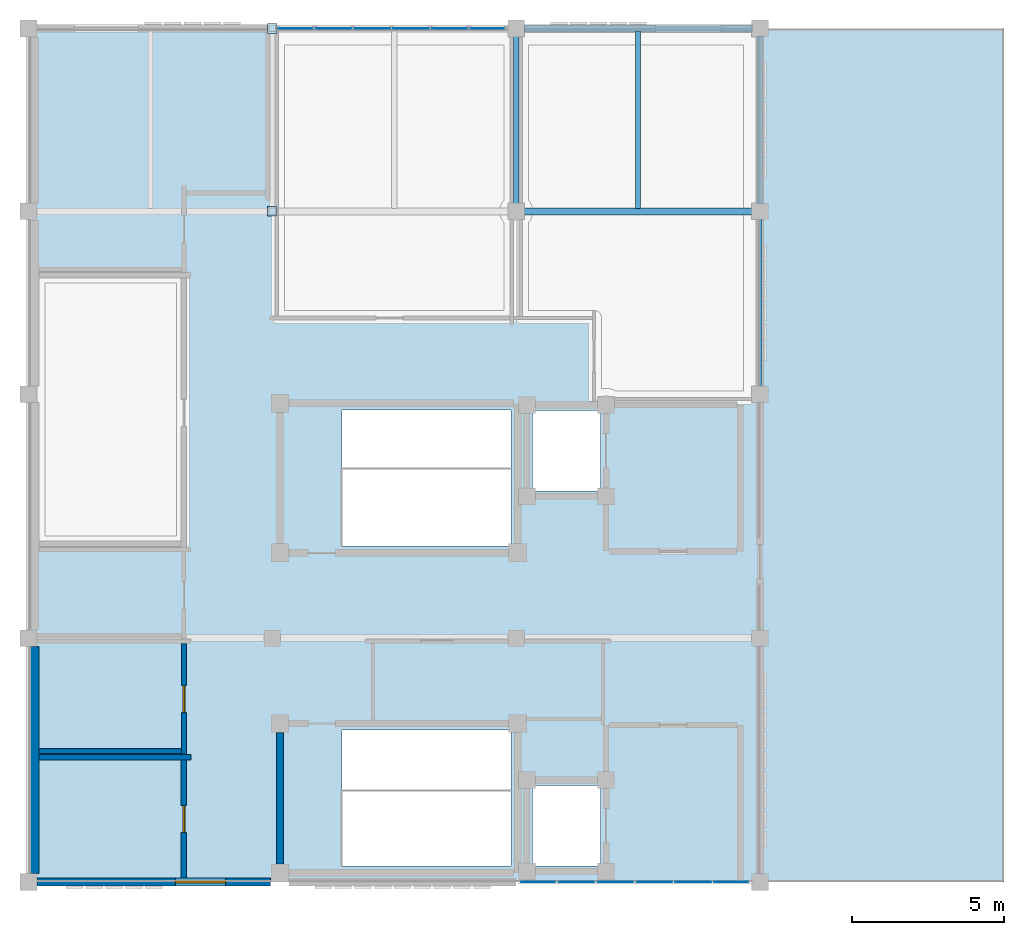
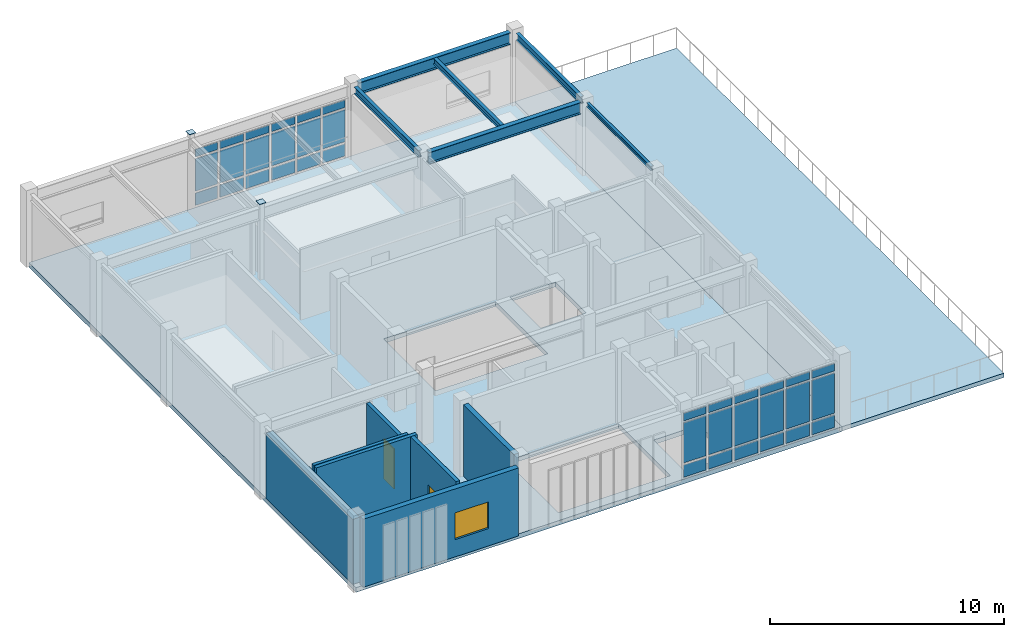
# One storey, part 7 of 11: 38 plates, 7 walls, 6 beams, 2 doors, 2 slabs, 1 window, 3 openings, 2 elements without a shape of their own.
"""IFC4 building model written with IfcOpenShell, lengths in metres."""

import ifcopenshell
import ifcopenshell.guid

model = None  # the IFC model being written
_history = None  # IfcOwnerHistory: only IFC2X3 demands one
_inside = {}  # id of a spatial element -> (the spatial element, [elements in it])
_under = {}  # id of a project, library or spatial element -> (it, [spatial elements below it])
_declared = {}  # id of a project -> (the project, [libraries it declares])
_typed = {}  # id of a type object -> (the type object, [elements of that type])
_made_of = {}  # id of a material, layer set ... -> (it, [elements and type objects made of it])


def new_model(schema):
    """Start an empty IFC model of exactly this schema.

    Asked for "IFC4X3", IfcOpenShell would pick the latest addendum, in which some entities
    have other attributes; the version numbers below select the first issue.
    IFC2X3 requires an IfcOwnerHistory on every rooted entity: one is made here for all.
    """
    global model, _history
    if schema == "IFC4X3":
        model = ifcopenshell.file(schema_version=(4, 3, 0, 0))
    else:
        model = ifcopenshell.file(schema=schema)
    _inside.clear()
    _under.clear()
    _declared.clear()
    _typed.clear()
    _made_of.clear()
    _history = None
    if model.schema == "IFC2X3":
        org = make("IfcOrganization", Name="unknown")
        user = make(
            "IfcPersonAndOrganization",
            ThePerson=make("IfcPerson", FamilyName="unknown"),
            TheOrganization=org,
        )
        app = make(
            "IfcApplication",
            ApplicationDeveloper=org,
            Version="unknown",
            ApplicationFullName="unknown",
            ApplicationIdentifier="unknown",
        )
        _history = make(
            "IfcOwnerHistory",
            OwningUser=user,
            OwningApplication=app,
            ChangeAction="ADDED",
            CreationDate=0,
        )
    return model


def make(cls, **values):
    """One entity of the class cls with the attributes given. An attribute that is None is left unset."""
    return model.create_entity(
        cls, **{name: value for name, value in values.items() if value is not None}
    )


def rooted(cls, **values):
    """An entity with a GlobalId (a new one), such as an element, a storey or a relation."""
    return make(cls, GlobalId=ifcopenshell.guid.new(), OwnerHistory=_history, **values)


def si_unit(unit_type, name, prefix=None):
    """IfcSIUnit, for example si_unit("LENGTHUNIT", "METRE", prefix="MILLI")."""
    return make("IfcSIUnit", UnitType=unit_type, Prefix=prefix, Name=name)


def assignment(units):
    """IfcUnitAssignment: the units of a project."""
    return None if units is None else make("IfcUnitAssignment", Units=units)


def point(xyz):
    """IfcCartesianPoint."""
    return None if xyz is None else make("IfcCartesianPoint", Coordinates=xyz)


def direction(xyz):
    """IfcDirection."""
    return None if xyz is None else make("IfcDirection", DirectionRatios=xyz)


def frame(location, z_axis=None, x_axis=None):
    """IfcAxis2Placement3D, a coordinate frame: its origin and axes. An axis left out is left unset."""
    return make(
        "IfcAxis2Placement3D",
        Location=point(location),
        Axis=direction(z_axis),
        RefDirection=direction(x_axis),
    )


def frame_2d(location, x_axis=None):
    """IfcAxis2Placement2D, a coordinate frame in the plane: its origin and x axis."""
    return make(
        "IfcAxis2Placement2D", Location=point(location), RefDirection=direction(x_axis)
    )


def origin():
    """The frame at (0, 0, 0) with its axes left unset."""
    return frame((0.0, 0.0, 0.0))


def origin_2d():
    """The frame at (0, 0) in the plane with its x axis left unset."""
    return frame_2d((0.0, 0.0))


def place(relative_to, where):
    """IfcLocalPlacement: puts the frame where relative to a parent placement (None: the world)."""
    return make(
        "IfcLocalPlacement", PlacementRelTo=relative_to, RelativePlacement=where
    )


def context(
    kind, dimensions, precision=None, world=None, true_north=None, identifier=None
):
    """IfcGeometricRepresentationContext, for example the 3D "Model" context."""
    return make(
        "IfcGeometricRepresentationContext",
        ContextIdentifier=identifier,
        ContextType=kind,
        CoordinateSpaceDimension=dimensions,
        Precision=precision,
        WorldCoordinateSystem=world,
        TrueNorth=true_north,
    )


def subcontext(parent, identifier, kind, view, scale=None):
    """IfcGeometricRepresentationSubContext, for example "Body" below "Model"."""
    return make(
        "IfcGeometricRepresentationSubContext",
        ContextIdentifier=identifier,
        ContextType=kind,
        ParentContext=parent,
        TargetScale=scale,
        TargetView=view,
    )


def project(units=None, contexts=None):
    """IfcProject with its units and contexts."""
    return rooted(
        "IfcProject",
        Name="project",
        RepresentationContexts=contexts,
        UnitsInContext=assignment(units),
    )


def spatial(cls, under=None, at=None, **own):
    """A site, building, storey or space (cls), placed at a placement, below another one or the project."""
    s = rooted(cls, ObjectPlacement=at, **own)
    if under is not None:
        _under.setdefault(under.id(), (under, []))[1].append(s)
    return s


def polyline(points):
    """IfcPolyline through the points."""
    return make("IfcPolyline", Points=[point(p) for p in points])


def profile(cls, at=None, kind="AREA", **sizes):
    """A parametric profile (cls). Its sizes go by their IFC names, for example OverallWidth=200.0."""
    return make(cls, ProfileType=kind, Position=at, **sizes)


def rectangle(**sizes):
    """IfcRectangleProfileDef."""
    return profile("IfcRectangleProfileDef", **sizes)


def i_section(**sizes):
    """IfcIShapeProfileDef."""
    return profile("IfcIShapeProfileDef", **sizes)


def outline(outer, holes=None, kind="AREA"):
    """IfcArbitraryClosedProfileDef: a profile drawn as a closed curve; with holes, ...WithVoids."""
    if holes is None:
        return make("IfcArbitraryClosedProfileDef", ProfileType=kind, OuterCurve=outer)
    return make(
        "IfcArbitraryProfileDefWithVoids",
        ProfileType=kind,
        OuterCurve=outer,
        InnerCurves=holes,
    )


def extrude(swept, where, along, depth):
    """IfcExtrudedAreaSolid: the profile swept, set in the frame where, extruded along a direction by depth."""
    return make(
        "IfcExtrudedAreaSolid",
        SweptArea=swept,
        Position=where,
        ExtrudedDirection=direction(along),
        Depth=depth,
    )


def shape(context_of_items, identifier, shape_type, items):
    """IfcShapeRepresentation: the items that make up one representation, for example the "Body"."""
    return make(
        "IfcShapeRepresentation",
        ContextOfItems=context_of_items,
        RepresentationIdentifier=identifier,
        RepresentationType=shape_type,
        Items=items,
    )


def material(Name=None, Category=None):
    """IfcMaterial."""
    return make("IfcMaterial", Name=Name, Category=Category)


def layer(
    of_material, thickness, ventilated=None, Name=None, Category=None, Priority=None
):
    """IfcMaterialLayer: one layer of a wall or slab, of a material (None: an air gap)."""
    return make(
        "IfcMaterialLayer",
        Material=of_material,
        LayerThickness=thickness,
        IsVentilated=ventilated,
        Name=Name,
        Category=Category,
        Priority=Priority,
    )


def layer_set(layers, Name=None):
    """IfcMaterialLayerSet."""
    return make("IfcMaterialLayerSet", MaterialLayers=layers, LayerSetName=Name)


def material_profile(
    of_material, cross_section, Name=None, Category=None, Priority=None
):
    """IfcMaterialProfile: a cross section and its material."""
    return make(
        "IfcMaterialProfile",
        Name=Name,
        Material=of_material,
        Profile=cross_section,
        Priority=Priority,
        Category=Category,
    )


def profile_set(profiles, Name=None, composite=None):
    """IfcMaterialProfileSet."""
    return make(
        "IfcMaterialProfileSet",
        Name=Name,
        MaterialProfiles=profiles,
        CompositeProfile=composite,
    )


def made_of(thing, what):
    """Note that an element or type object is made of a material, layer set ...; save() writes the relation."""
    if what is not None:
        _made_of.setdefault(what.id(), (what, []))[1].append(thing)
    return thing


def type_object(cls, material=None, **own):
    """A type object (cls), such as IfcWallType, which elements share."""
    return made_of(rooted(cls, **own), material)


def element(
    cls,
    number,
    at=None,
    inside=None,
    cuts=None,
    type_object=None,
    material=None,
    context=None,
    identifier="Body",
    shape_type=None,
    held_by="IfcProductDefinitionShape",
    body=None,
    shapes=None,
    **own,
):
    """One element of the class cls, such as IfcWall. Its Tag is "e" and its number.

    at: its placement. inside: the storey or other place that contains it. cuts: it is an
    opening in that element (IfcRelVoidsElement). A single representation is given by context,
    identifier, shape_type and body (its items); several are given by shapes. held_by: the class
    of the entity that holds the representations. save() writes the other relations.
    """
    e = rooted(cls, Tag="e%d" % number, ObjectPlacement=at, **own)
    if body is not None:
        shapes = [shape(context, identifier, shape_type, body)]
    if shapes is not None:
        e.Representation = make(held_by, Representations=shapes)
    if inside is not None:
        _inside.setdefault(inside.id(), (inside, []))[1].append(e)
    if cuts is not None:
        rooted(
            "IfcRelVoidsElement", RelatingBuildingElement=cuts, RelatedOpeningElement=e
        )
    if type_object is not None:
        _typed.setdefault(type_object.id(), (type_object, []))[1].append(e)
    return made_of(e, material)


def fill(opening, filler):
    """IfcRelFillsElement: the door or window that sits in an opening."""
    return rooted(
        "IfcRelFillsElement",
        RelatingOpeningElement=opening,
        RelatedBuildingElement=filler,
    )


def aggregate(whole, parts):
    """IfcRelAggregates: a whole, such as a stair, and the parts it consists of."""
    return rooted("IfcRelAggregates", RelatingObject=whole, RelatedObjects=parts)


def save(model, path):
    """Write the relations noted so far, then the file.

    IfcRelAggregates (storeys below a building ...), IfcRelContainedInSpatialStructure (elements
    in a storey), IfcRelDefinesByType, IfcRelAssociatesMaterial and IfcRelDeclares: one each for
    every whole, place, type object, material and project.
    """
    for whole, parts in _under.values():
        aggregate(whole, parts)
    for where, things in _inside.values():
        rooted(
            "IfcRelContainedInSpatialStructure",
            RelatedElements=things,
            RelatingStructure=where,
        )
    for kind, things in _typed.values():
        rooted("IfcRelDefinesByType", RelatedObjects=things, RelatingType=kind)
    for what, things in _made_of.values():
        rooted("IfcRelAssociatesMaterial", RelatedObjects=things, RelatingMaterial=what)
    for by, libraries in _declared.values():
        rooted("IfcRelDeclares", RelatingContext=by, RelatedDefinitions=libraries)
    model.write(path)


model = new_model("IFC4")

# Units and contexts
model_context = context("Model", 3, precision=1e-05, world=origin(), true_north=direction((0.0, 1.0)))
body_context = subcontext(model_context, "Body", "Model", "MODEL_VIEW")
ifc_project = project(units=[si_unit("LENGTHUNIT", "METRE"), si_unit("AREAUNIT", "SQUARE_METRE"), si_unit("VOLUMEUNIT", "CUBIC_METRE"), si_unit("PLANEANGLEUNIT", "RADIAN"), si_unit("MASSUNIT", "GRAM", prefix="KILO")], contexts=[model_context])

# Site, building, storey
site_placement = place(None, origin())
site = spatial("IfcSite", under=ifc_project, at=site_placement, CompositionType="ELEMENT")
building_placement = place(site_placement, origin())
building = spatial("IfcBuilding", under=site, at=building_placement, Name="Celadon Cloister-Ring School", CompositionType="ELEMENT")
storey_placement = place(building_placement, frame((0.0, 0.0, 20.5)))
storey = spatial("IfcBuildingStorey", under=building, at=storey_placement, Name="L05", CompositionType="ELEMENT", Elevation=20.5)

# Beams
ifc_material_1 = material(Name="Structural steel S355JR", Category="steel")
ifc_material_profile_1 = material_profile(ifc_material_1, i_section(OverallWidth=0.1708984375, OverallDepth=0.35498046875, WebThickness=0.007080078125, FlangeThickness=0.01171875, at=origin_2d()), Name="W360X51")
ifc_profile_set_1 = profile_set([ifc_material_profile_1], Name="Structural steel S355JR")
beam_type_1 = type_object("IfcBeamType", Name="BT-07", PredefinedType="BEAM", material=ifc_profile_set_1)
for number, where, z_axis, x_axis, name in (
    (1, (16.0, 62.25, 3.5830078125), (0.0, 1.0, 0.0), (-1.0, 0.0, 0.0), "Beam 1694"),
    (2, (24.0, 62.25, 3.5830078125), (0.0, 1.0, 0.0), (-1.0, 0.0, 0.0), "Beam 1698"),
):
    element("IfcBeam", number, at=place(storey_placement, frame(where, z_axis=z_axis, x_axis=x_axis)), inside=storey, type_object=beam_type_1, Name=name, PredefinedType="BEAM", context=body_context, shape_type="SweptSolid", body=[
        extrude(i_section(OverallWidth=0.1708984375, OverallDepth=0.35498046875, WebThickness=0.007080078125, FlangeThickness=0.01171875, at=origin_2d()), origin(), (0.0, 0.0, 1.0), 5.5),
    ])
ifc_material_2 = material(Name="Structural steel S355JR", Category="steel")
ifc_material_profile_2 = material_profile(ifc_material_2, i_section(OverallWidth=0.133056640625, OverallDepth=0.20703125, WebThickness=0.005859375, FlangeThickness=0.00830078125, at=origin_2d()), Name="W200X27")
ifc_profile_set_2 = profile_set([ifc_material_profile_2], Name="Structural steel S355JR")
beam_type_2 = type_object("IfcBeamType", Name="BT-11", PredefinedType="BEAM", material=ifc_profile_set_2)
beam_1_placement = place(storey_placement, frame((24.0, 56.25, 3.656982421875), z_axis=(0.0, 1.0, 0.0), x_axis=(-1.0, 0.0, 0.0)))
element("IfcBeam", 3, at=beam_1_placement, inside=storey, type_object=beam_type_2, Name="Beam 1697", PredefinedType="BEAM", context=body_context, shape_type="SweptSolid", body=[
    extrude(i_section(OverallWidth=0.133056640625, OverallDepth=0.20703125, WebThickness=0.005859375, FlangeThickness=0.00830078125, at=origin_2d()), origin(), (0.0, 0.0, 1.0), 5.5),
])
ifc_material_3 = material(Name="Structural steel S355JR", Category="steel")
ifc_material_profile_3 = material_profile(ifc_material_3, i_section(OverallWidth=0.22900390625, OverallDepth=0.612060546875, WebThickness=0.011962890625, FlangeThickness=0.01953125, at=origin_2d()), Name="W610X125")
ifc_profile_set_3 = profile_set([ifc_material_profile_3], Name="Structural steel S355JR")
beam_type_3 = type_object("IfcBeamType", Name="GT-05", PredefinedType="USERDEFINED", material=ifc_profile_set_3)
for number, where, z_axis, x_axis, name in (
    (4, (16.25, 62.0, 3.4541015625), (1.0, 0.0, 0.0), (0.0, 1.0, 0.0), "Beam 1685"),
    (5, (16.25, 68.0, 3.4541015625), (1.0, 0.0, 0.0), (0.0, 1.0, 0.0), "Beam 1688"),
):
    element("IfcBeam", number, at=place(storey_placement, frame(where, z_axis=z_axis, x_axis=x_axis)), inside=storey, type_object=beam_type_3, Name=name, ObjectType="GIRDER", PredefinedType="USERDEFINED", context=body_context, shape_type="SweptSolid", body=[
        extrude(i_section(OverallWidth=0.22900390625, OverallDepth=0.612060546875, WebThickness=0.011962890625, FlangeThickness=0.01953125, at=origin_2d()), origin(), (0.0, 0.0, 1.0), 7.5),
    ])
ifc_material_4 = material(Name="Structural steel S355JR", Category="steel")
ifc_material_profile_4 = material_profile(ifc_material_4, i_section(OverallWidth=0.1650390625, OverallDepth=0.31005859375, WebThickness=0.005859375, FlangeThickness=0.009765625, at=origin_2d()), Name="W310X39")
ifc_profile_set_4 = profile_set([ifc_material_profile_4], Name="Structural steel S355JR")
beam_type_4 = type_object("IfcBeamType", Name="JT-03", PredefinedType="JOIST", material=ifc_profile_set_4)
beam_2_placement = place(storey_placement, frame((20.0, 62.090087890625, 3.60498046875), z_axis=(0.0, 1.0, 0.0), x_axis=(-1.0, 0.0, 0.0)))
element("IfcBeam", 6, at=beam_2_placement, inside=storey, type_object=beam_type_4, Name="Beam 1701", PredefinedType="JOIST", context=body_context, shape_type="SweptSolid", body=[
    extrude(i_section(OverallWidth=0.1650390625, OverallDepth=0.31005859375, WebThickness=0.005859375, FlangeThickness=0.009765625, at=origin_2d()), origin(), (0.0, 0.0, 1.0), 5.81982421875),
])

# Curtain wall, plates
ifc_material_5 = material(Name="Aluminium EN AW-6063 T6", Category="aluminium")
curtain_wall_type_1 = type_object("IfcCurtainWallType", Name="CW-18", PredefinedType="USERDEFINED", material=ifc_material_5)
curtain_wall_1_placement = place(storey_placement, origin())
curtain_wall_1 = element("IfcCurtainWall", 7, at=curtain_wall_1_placement, inside=storey, type_object=curtain_wall_type_1, Name="Curtain Wall 0209", ObjectType="CURTAIN WALL", PredefinedType="USERDEFINED")
ifc_material_6 = material(Name="Tempered laminated insulating glass", Category="glass")
ifc_layer_1 = layer(ifc_material_6, 0.02001953125)
ifc_layer_set_1 = layer_set([ifc_layer_1], Name="Tempered laminated insulating glass")
plate_type_1 = type_object("IfcPlateType", Name="CPN-01", PredefinedType="CURTAIN_PANEL", material=ifc_layer_set_1)
plate_1_placement = place(storey_placement, frame((8.77197265625, 68.0, 0.10498046875), z_axis=(0.0, 0.0, 1.0), x_axis=(1.0, 0.0, 0.0)))
plate_1 = element("IfcPlate", 8, at=plate_1_placement, type_object=plate_type_1, Name="CW-18 panel 1.1", PredefinedType="CURTAIN_PANEL", context=body_context, shape_type="SweptSolid", body=[
    extrude(rectangle(XDim=1.104248046875, YDim=0.02001953125, at=origin_2d()), origin(), (0.0, 0.0, 1.0), 0.642578125),
])
plate_2_placement = place(storey_placement, frame((8.77197265625, 68.0, 0.8525390625), z_axis=(0.0, 0.0, 1.0), x_axis=(1.0, 0.0, 0.0)))
plate_2 = element("IfcPlate", 9, at=plate_2_placement, type_object=plate_type_1, Name="CW-18 panel 1.2", PredefinedType="CURTAIN_PANEL", context=body_context, shape_type="SweptSolid", body=[
    extrude(rectangle(XDim=1.104248046875, YDim=0.02001953125, at=origin_2d()), origin(), (0.0, 0.0, 1.0), 1.68505859375),
])
plate_3_placement = place(storey_placement, frame((8.77197265625, 68.0, 2.642578125), z_axis=(0.0, 0.0, 1.0), x_axis=(1.0, 0.0, 0.0)))
plate_3 = element("IfcPlate", 10, at=plate_3_placement, type_object=plate_type_1, Name="CW-18 panel 1.3", PredefinedType="CURTAIN_PANEL", context=body_context, shape_type="SweptSolid", body=[
    extrude(rectangle(XDim=1.104248046875, YDim=0.02001953125, at=origin_2d()), origin(), (0.0, 0.0, 1.0), 0.392578125),
])
plate_4_placement = place(storey_placement, frame((10.013671875, 68.0, 0.10498046875), z_axis=(0.0, 0.0, 1.0), x_axis=(1.0, 0.0, 0.0)))
plate_4 = element("IfcPlate", 11, at=plate_4_placement, type_object=plate_type_1, Name="CW-18 panel 2.1", PredefinedType="CURTAIN_PANEL", context=body_context, shape_type="SweptSolid", body=[
    extrude(rectangle(XDim=1.1591796875, YDim=0.02001953125, at=origin_2d()), origin(), (0.0, 0.0, 1.0), 0.642578125),
])
plate_5_placement = place(storey_placement, frame((10.013671875, 68.0, 0.8525390625), z_axis=(0.0, 0.0, 1.0), x_axis=(1.0, 0.0, 0.0)))
plate_5 = element("IfcPlate", 12, at=plate_5_placement, type_object=plate_type_1, Name="CW-18 panel 2.2", PredefinedType="CURTAIN_PANEL", context=body_context, shape_type="SweptSolid", body=[
    extrude(rectangle(XDim=1.1591796875, YDim=0.02001953125, at=origin_2d()), origin(), (0.0, 0.0, 1.0), 1.68505859375),
])
plate_6_placement = place(storey_placement, frame((10.013671875, 68.0, 2.642578125), z_axis=(0.0, 0.0, 1.0), x_axis=(1.0, 0.0, 0.0)))
plate_6 = element("IfcPlate", 13, at=plate_6_placement, type_object=plate_type_1, Name="CW-18 panel 2.3", PredefinedType="CURTAIN_PANEL", context=body_context, shape_type="SweptSolid", body=[
    extrude(rectangle(XDim=1.1591796875, YDim=0.02001953125, at=origin_2d()), origin(), (0.0, 0.0, 1.0), 0.392578125),
])
plate_7_placement = place(storey_placement, frame((11.282958984375, 68.0, 0.10498046875), z_axis=(0.0, 0.0, 1.0), x_axis=(1.0, 0.0, 0.0)))
plate_7 = element("IfcPlate", 14, at=plate_7_placement, type_object=plate_type_1, Name="CW-18 panel 3.1", PredefinedType="CURTAIN_PANEL", context=body_context, shape_type="SweptSolid", body=[
    extrude(rectangle(XDim=1.1591796875, YDim=0.02001953125, at=origin_2d()), origin(), (0.0, 0.0, 1.0), 0.642578125),
])
plate_8_placement = place(storey_placement, frame((11.282958984375, 68.0, 0.8525390625), z_axis=(0.0, 0.0, 1.0), x_axis=(1.0, 0.0, 0.0)))
plate_8 = element("IfcPlate", 15, at=plate_8_placement, type_object=plate_type_1, Name="CW-18 panel 3.2", PredefinedType="CURTAIN_PANEL", context=body_context, shape_type="SweptSolid", body=[
    extrude(rectangle(XDim=1.1591796875, YDim=0.02001953125, at=origin_2d()), origin(), (0.0, 0.0, 1.0), 1.68505859375),
])
plate_9_placement = place(storey_placement, frame((11.282958984375, 68.0, 2.642578125), z_axis=(0.0, 0.0, 1.0), x_axis=(1.0, 0.0, 0.0)))
plate_9 = element("IfcPlate", 16, at=plate_9_placement, type_object=plate_type_1, Name="CW-18 panel 3.3", PredefinedType="CURTAIN_PANEL", context=body_context, shape_type="SweptSolid", body=[
    extrude(rectangle(XDim=1.1591796875, YDim=0.02001953125, at=origin_2d()), origin(), (0.0, 0.0, 1.0), 0.392578125),
])
plate_10_placement = place(storey_placement, frame((12.552001953125, 68.0, 0.10498046875), z_axis=(0.0, 0.0, 1.0), x_axis=(1.0, 0.0, 0.0)))
plate_10 = element("IfcPlate", 17, at=plate_10_placement, type_object=plate_type_1, Name="CW-18 panel 4.1", PredefinedType="CURTAIN_PANEL", context=body_context, shape_type="SweptSolid", body=[
    extrude(rectangle(XDim=1.1591796875, YDim=0.02001953125, at=origin_2d()), origin(), (0.0, 0.0, 1.0), 0.642578125),
])
plate_11_placement = place(storey_placement, frame((12.552001953125, 68.0, 0.8525390625), z_axis=(0.0, 0.0, 1.0), x_axis=(1.0, 0.0, 0.0)))
plate_11 = element("IfcPlate", 18, at=plate_11_placement, type_object=plate_type_1, Name="CW-18 panel 4.2", PredefinedType="CURTAIN_PANEL", context=body_context, shape_type="SweptSolid", body=[
    extrude(rectangle(XDim=1.1591796875, YDim=0.02001953125, at=origin_2d()), origin(), (0.0, 0.0, 1.0), 1.68505859375),
])
plate_12_placement = place(storey_placement, frame((12.552001953125, 68.0, 2.642578125), z_axis=(0.0, 0.0, 1.0), x_axis=(1.0, 0.0, 0.0)))
plate_12 = element("IfcPlate", 19, at=plate_12_placement, type_object=plate_type_1, Name="CW-18 panel 4.3", PredefinedType="CURTAIN_PANEL", context=body_context, shape_type="SweptSolid", body=[
    extrude(rectangle(XDim=1.1591796875, YDim=0.02001953125, at=origin_2d()), origin(), (0.0, 0.0, 1.0), 0.392578125),
])
plate_13_placement = place(storey_placement, frame((13.8212890625, 68.0, 0.10498046875), z_axis=(0.0, 0.0, 1.0), x_axis=(1.0, 0.0, 0.0)))
plate_13 = element("IfcPlate", 20, at=plate_13_placement, type_object=plate_type_1, Name="CW-18 panel 5.1", PredefinedType="CURTAIN_PANEL", context=body_context, shape_type="SweptSolid", body=[
    extrude(rectangle(XDim=1.1591796875, YDim=0.02001953125, at=origin_2d()), origin(), (0.0, 0.0, 1.0), 0.642578125),
])
plate_14_placement = place(storey_placement, frame((13.8212890625, 68.0, 0.8525390625), z_axis=(0.0, 0.0, 1.0), x_axis=(1.0, 0.0, 0.0)))
plate_14 = element("IfcPlate", 21, at=plate_14_placement, type_object=plate_type_1, Name="CW-18 panel 5.2", PredefinedType="CURTAIN_PANEL", context=body_context, shape_type="SweptSolid", body=[
    extrude(rectangle(XDim=1.1591796875, YDim=0.02001953125, at=origin_2d()), origin(), (0.0, 0.0, 1.0), 1.68505859375),
])
plate_15_placement = place(storey_placement, frame((13.8212890625, 68.0, 2.642578125), z_axis=(0.0, 0.0, 1.0), x_axis=(1.0, 0.0, 0.0)))
plate_15 = element("IfcPlate", 22, at=plate_15_placement, type_object=plate_type_1, Name="CW-18 panel 5.3", PredefinedType="CURTAIN_PANEL", context=body_context, shape_type="SweptSolid", body=[
    extrude(rectangle(XDim=1.1591796875, YDim=0.02001953125, at=origin_2d()), origin(), (0.0, 0.0, 1.0), 0.392578125),
])
plate_16_placement = place(storey_placement, frame((15.06298828125, 68.0, 0.10498046875), z_axis=(0.0, 0.0, 1.0), x_axis=(1.0, 0.0, 0.0)))
plate_16 = element("IfcPlate", 23, at=plate_16_placement, type_object=plate_type_1, Name="CW-18 panel 6.1", PredefinedType="CURTAIN_PANEL", context=body_context, shape_type="SweptSolid", body=[
    extrude(rectangle(XDim=1.104248046875, YDim=0.02001953125, at=origin_2d()), origin(), (0.0, 0.0, 1.0), 0.642578125),
])
plate_17_placement = place(storey_placement, frame((15.06298828125, 68.0, 0.8525390625), z_axis=(0.0, 0.0, 1.0), x_axis=(1.0, 0.0, 0.0)))
plate_17 = element("IfcPlate", 24, at=plate_17_placement, type_object=plate_type_1, Name="CW-18 panel 6.2", PredefinedType="CURTAIN_PANEL", context=body_context, shape_type="SweptSolid", body=[
    extrude(rectangle(XDim=1.104248046875, YDim=0.02001953125, at=origin_2d()), origin(), (0.0, 0.0, 1.0), 1.68505859375),
])
plate_18_placement = place(storey_placement, frame((15.06298828125, 68.0, 2.642578125), z_axis=(0.0, 0.0, 1.0), x_axis=(1.0, 0.0, 0.0)))
plate_18 = element("IfcPlate", 25, at=plate_18_placement, type_object=plate_type_1, Name="CW-18 panel 6.3", PredefinedType="CURTAIN_PANEL", context=body_context, shape_type="SweptSolid", body=[
    extrude(rectangle(XDim=1.104248046875, YDim=0.02001953125, at=origin_2d()), origin(), (0.0, 0.0, 1.0), 0.392578125),
])
aggregate(curtain_wall_1, [plate_1, plate_2, plate_3, plate_4, plate_5, plate_6, plate_7, plate_8, plate_9, plate_10, plate_11, plate_12, plate_13, plate_14, plate_15, plate_16, plate_17, plate_18])

ifc_material_7 = material(Name="Aluminium EN AW-6063 T6", Category="aluminium")
curtain_wall_type_2 = type_object("IfcCurtainWallType", Name="CW-17", PredefinedType="USERDEFINED", material=ifc_material_7)
curtain_wall_2_placement = place(storey_placement, origin())
curtain_wall_2 = element("IfcCurtainWall", 26, at=curtain_wall_2_placement, inside=storey, type_object=curtain_wall_type_2, Name="Curtain Wall 0210", ObjectType="CURTAIN WALL", PredefinedType="USERDEFINED")
plate_19_placement = place(storey_placement, frame((23.058837890625, 40.0, 0.10498046875), z_axis=(0.0, 0.0, 1.0), x_axis=(-1.0, 0.0, 0.0)))
plate_19 = element("IfcPlate", 27, at=plate_19_placement, type_object=plate_type_1, Name="CW-17 panel 1.1", PredefinedType="CURTAIN_PANEL", context=body_context, shape_type="SweptSolid", body=[
    extrude(rectangle(XDim=1.112548828125, YDim=0.02001953125, at=origin_2d()), origin(), (0.0, 0.0, 1.0), 0.642578125),
])
plate_20_placement = place(storey_placement, frame((23.058837890625, 40.0, 0.8525390625), z_axis=(0.0, 0.0, 1.0), x_axis=(-1.0, 0.0, 0.0)))
plate_20 = element("IfcPlate", 28, at=plate_20_placement, type_object=plate_type_1, Name="CW-17 panel 1.2", PredefinedType="CURTAIN_PANEL", context=body_context, shape_type="SweptSolid", body=[
    extrude(rectangle(XDim=1.112548828125, YDim=0.02001953125, at=origin_2d()), origin(), (0.0, 0.0, 1.0), 2.094970703125),
])
plate_21_placement = place(storey_placement, frame((23.058837890625, 40.0, 3.052490234375), z_axis=(0.0, 0.0, 1.0), x_axis=(-1.0, 0.0, 0.0)))
plate_21 = element("IfcPlate", 29, at=plate_21_placement, type_object=plate_type_1, Name="CW-17 panel 1.3", PredefinedType="CURTAIN_PANEL", context=body_context, shape_type="SweptSolid", body=[
    extrude(rectangle(XDim=1.112548828125, YDim=0.02001953125, at=origin_2d()), origin(), (0.0, 0.0, 1.0), 0.392578125),
])
plate_22_placement = place(storey_placement, frame((21.808837890625, 40.0, 0.10498046875), z_axis=(0.0, 0.0, 1.0), x_axis=(-1.0, 0.0, 0.0)))
plate_22 = element("IfcPlate", 30, at=plate_22_placement, type_object=plate_type_1, Name="CW-17 panel 2.1", PredefinedType="CURTAIN_PANEL", context=body_context, shape_type="SweptSolid", body=[
    extrude(rectangle(XDim=1.16748046875, YDim=0.02001953125, at=origin_2d()), origin(), (0.0, 0.0, 1.0), 0.642578125),
])
plate_23_placement = place(storey_placement, frame((21.808837890625, 40.0, 0.8525390625), z_axis=(0.0, 0.0, 1.0), x_axis=(-1.0, 0.0, 0.0)))
plate_23 = element("IfcPlate", 31, at=plate_23_placement, type_object=plate_type_1, Name="CW-17 panel 2.2", PredefinedType="CURTAIN_PANEL", context=body_context, shape_type="SweptSolid", body=[
    extrude(rectangle(XDim=1.16748046875, YDim=0.02001953125, at=origin_2d()), origin(), (0.0, 0.0, 1.0), 2.094970703125),
])
plate_24_placement = place(storey_placement, frame((21.808837890625, 40.0, 3.052490234375), z_axis=(0.0, 0.0, 1.0), x_axis=(-1.0, 0.0, 0.0)))
plate_24 = element("IfcPlate", 32, at=plate_24_placement, type_object=plate_type_1, Name="CW-17 panel 2.3", PredefinedType="CURTAIN_PANEL", context=body_context, shape_type="SweptSolid", body=[
    extrude(rectangle(XDim=1.16748046875, YDim=0.02001953125, at=origin_2d()), origin(), (0.0, 0.0, 1.0), 0.392578125),
])
plate_25_placement = place(storey_placement, frame((20.53125, 40.0, 0.10498046875), z_axis=(0.0, 0.0, 1.0), x_axis=(-1.0, 0.0, 0.0)))
plate_25 = element("IfcPlate", 33, at=plate_25_placement, type_object=plate_type_1, Name="CW-17 panel 3.1", PredefinedType="CURTAIN_PANEL", context=body_context, shape_type="SweptSolid", body=[
    extrude(rectangle(XDim=1.16748046875, YDim=0.02001953125, at=origin_2d()), origin(), (0.0, 0.0, 1.0), 0.642578125),
])
plate_26_placement = place(storey_placement, frame((20.53125, 40.0, 0.8525390625), z_axis=(0.0, 0.0, 1.0), x_axis=(-1.0, 0.0, 0.0)))
plate_26 = element("IfcPlate", 34, at=plate_26_placement, type_object=plate_type_1, Name="CW-17 panel 3.2", PredefinedType="CURTAIN_PANEL", context=body_context, shape_type="SweptSolid", body=[
    extrude(rectangle(XDim=1.16748046875, YDim=0.02001953125, at=origin_2d()), origin(), (0.0, 0.0, 1.0), 2.094970703125),
])
plate_27_placement = place(storey_placement, frame((20.53125, 40.0, 3.052490234375), z_axis=(0.0, 0.0, 1.0), x_axis=(-1.0, 0.0, 0.0)))
plate_27 = element("IfcPlate", 35, at=plate_27_placement, type_object=plate_type_1, Name="CW-17 panel 3.3", PredefinedType="CURTAIN_PANEL", context=body_context, shape_type="SweptSolid", body=[
    extrude(rectangle(XDim=1.16748046875, YDim=0.02001953125, at=origin_2d()), origin(), (0.0, 0.0, 1.0), 0.392578125),
])
plate_28_placement = place(storey_placement, frame((19.253662109375, 40.0, 0.10498046875), z_axis=(0.0, 0.0, 1.0), x_axis=(-1.0, 0.0, 0.0)))
plate_28 = element("IfcPlate", 36, at=plate_28_placement, type_object=plate_type_1, Name="CW-17 panel 4.1", PredefinedType="CURTAIN_PANEL", context=body_context, shape_type="SweptSolid", body=[
    extrude(rectangle(XDim=1.16748046875, YDim=0.02001953125, at=origin_2d()), origin(), (0.0, 0.0, 1.0), 0.642578125),
])
plate_29_placement = place(storey_placement, frame((19.253662109375, 40.0, 0.8525390625), z_axis=(0.0, 0.0, 1.0), x_axis=(-1.0, 0.0, 0.0)))
plate_29 = element("IfcPlate", 37, at=plate_29_placement, type_object=plate_type_1, Name="CW-17 panel 4.2", PredefinedType="CURTAIN_PANEL", context=body_context, shape_type="SweptSolid", body=[
    extrude(rectangle(XDim=1.16748046875, YDim=0.02001953125, at=origin_2d()), origin(), (0.0, 0.0, 1.0), 2.094970703125),
])
plate_30_placement = place(storey_placement, frame((19.253662109375, 40.0, 3.052490234375), z_axis=(0.0, 0.0, 1.0), x_axis=(-1.0, 0.0, 0.0)))
plate_30 = element("IfcPlate", 38, at=plate_30_placement, type_object=plate_type_1, Name="CW-17 panel 4.3", PredefinedType="CURTAIN_PANEL", context=body_context, shape_type="SweptSolid", body=[
    extrude(rectangle(XDim=1.16748046875, YDim=0.02001953125, at=origin_2d()), origin(), (0.0, 0.0, 1.0), 0.392578125),
])
plate_31_placement = place(storey_placement, frame((17.976318359375, 40.0, 0.10498046875), z_axis=(0.0, 0.0, 1.0), x_axis=(-1.0, 0.0, 0.0)))
plate_31 = element("IfcPlate", 39, at=plate_31_placement, type_object=plate_type_1, Name="CW-17 panel 5.1", PredefinedType="CURTAIN_PANEL", context=body_context, shape_type="SweptSolid", body=[
    extrude(rectangle(XDim=1.16748046875, YDim=0.02001953125, at=origin_2d()), origin(), (0.0, 0.0, 1.0), 0.642578125),
])
plate_32_placement = place(storey_placement, frame((17.976318359375, 40.0, 0.8525390625), z_axis=(0.0, 0.0, 1.0), x_axis=(-1.0, 0.0, 0.0)))
plate_32 = element("IfcPlate", 40, at=plate_32_placement, type_object=plate_type_1, Name="CW-17 panel 5.2", PredefinedType="CURTAIN_PANEL", context=body_context, shape_type="SweptSolid", body=[
    extrude(rectangle(XDim=1.16748046875, YDim=0.02001953125, at=origin_2d()), origin(), (0.0, 0.0, 1.0), 2.094970703125),
])
plate_33_placement = place(storey_placement, frame((17.976318359375, 40.0, 3.052490234375), z_axis=(0.0, 0.0, 1.0), x_axis=(-1.0, 0.0, 0.0)))
plate_33 = element("IfcPlate", 41, at=plate_33_placement, type_object=plate_type_1, Name="CW-17 panel 5.3", PredefinedType="CURTAIN_PANEL", context=body_context, shape_type="SweptSolid", body=[
    extrude(rectangle(XDim=1.16748046875, YDim=0.02001953125, at=origin_2d()), origin(), (0.0, 0.0, 1.0), 0.392578125),
])
plate_34_placement = place(storey_placement, frame((16.726318359375, 40.0, 0.10498046875), z_axis=(0.0, 0.0, 1.0), x_axis=(-1.0, 0.0, 0.0)))
plate_34 = element("IfcPlate", 42, at=plate_34_placement, type_object=plate_type_1, Name="CW-17 panel 6.1", PredefinedType="CURTAIN_PANEL", context=body_context, shape_type="SweptSolid", body=[
    extrude(rectangle(XDim=1.112548828125, YDim=0.02001953125, at=origin_2d()), origin(), (0.0, 0.0, 1.0), 0.642578125),
])
plate_35_placement = place(storey_placement, frame((16.726318359375, 40.0, 0.8525390625), z_axis=(0.0, 0.0, 1.0), x_axis=(-1.0, 0.0, 0.0)))
plate_35 = element("IfcPlate", 43, at=plate_35_placement, type_object=plate_type_1, Name="CW-17 panel 6.2", PredefinedType="CURTAIN_PANEL", context=body_context, shape_type="SweptSolid", body=[
    extrude(rectangle(XDim=1.112548828125, YDim=0.02001953125, at=origin_2d()), origin(), (0.0, 0.0, 1.0), 2.094970703125),
])
plate_36_placement = place(storey_placement, frame((16.726318359375, 40.0, 3.052490234375), z_axis=(0.0, 0.0, 1.0), x_axis=(-1.0, 0.0, 0.0)))
plate_36 = element("IfcPlate", 44, at=plate_36_placement, type_object=plate_type_1, Name="CW-17 panel 6.3", PredefinedType="CURTAIN_PANEL", context=body_context, shape_type="SweptSolid", body=[
    extrude(rectangle(XDim=1.112548828125, YDim=0.02001953125, at=origin_2d()), origin(), (0.0, 0.0, 1.0), 0.392578125),
])
aggregate(curtain_wall_2, [plate_19, plate_20, plate_21, plate_22, plate_23, plate_24, plate_25, plate_26, plate_27, plate_28, plate_29, plate_30, plate_31, plate_32, plate_33, plate_34, plate_35, plate_36])

# Plates
ifc_material_8 = material(Name="Structural steel S355JR", Category="steel")
ifc_layer_2 = layer(ifc_material_8, 0.02197265625)
ifc_layer_set_2 = layer_set([ifc_layer_2], Name="Structural steel S355JR")
plate_type_2 = type_object("IfcPlateType", Name="PT-05", PredefinedType="SHEET", material=ifc_layer_set_2)
for number, where, z_axis, x_axis, name in (
    (45, (8.0, 62.0, 4.0), (0.0, 0.0, 1.0), (1.0, 0.0, 0.0), "Gusset Plate 0001"),
    (46, (8.0, 68.0, 4.0), (0.0, 0.0, 1.0), (1.0, 0.0, 0.0), "Gusset Plate 0002"),
):
    element("IfcPlate", number, at=place(storey_placement, frame(where, z_axis=z_axis, x_axis=x_axis)), inside=storey, type_object=plate_type_2, Name=name, PredefinedType="SHEET", context=body_context, shape_type="SweptSolid", body=[
        extrude(rectangle(XDim=0.320068359375, YDim=0.320068359375, at=origin_2d()), origin(), (0.0, 0.0, 1.0), 0.02197265625),
    ])

# Slabs
ifc_material_9 = material(Name="Concrete C35/45", Category="concrete")
ifc_layer_3 = layer(ifc_material_9, 0.239990234375)
ifc_layer_set_3 = layer_set([ifc_layer_3], Name="Concrete C35/45")
slab_type_1 = type_object("IfcSlabType", Name="SL-FL3", PredefinedType="FLOOR", material=ifc_layer_set_3)
slab_1_placement = place(storey_placement, frame((0.0, 0.0, -0.239990234375)))
element("IfcSlab", 47, at=slab_1_placement, inside=storey, type_object=slab_type_1, Name="Science Wing L05 Slab 0075", PredefinedType="FLOOR", context=body_context, shape_type="SweptSolid", body=[
    extrude(outline(polyline([(0.0, 68.0), (24.0, 68.0), (24.0, 40.0), (0.0, 40.0), (0.0, 68.0)]), holes=[polyline([(16.530029296875, 43.169921875), (16.530029296875, 40.530029296875), (18.77001953125, 40.530029296875), (18.77001953125, 43.169921875), (16.530029296875, 43.169921875)]), polyline([(10.2900390625, 44.97998046875), (10.2900390625, 40.52001953125), (15.830078125, 40.52001953125), (15.830078125, 44.97998046875), (10.2900390625, 44.97998046875)]), polyline([(10.2900390625, 55.47998046875), (10.2900390625, 51.02001953125), (15.830078125, 51.02001953125), (15.830078125, 55.47998046875), (10.2900390625, 55.47998046875)]), polyline([(16.530029296875, 55.469970703125), (16.530029296875, 52.830078125), (18.77001953125, 52.830078125), (18.77001953125, 55.469970703125), (16.530029296875, 55.469970703125)])]), origin(), (0.0, 0.0, 1.0), 0.239990234375),
])
ifc_material_10 = material(Name="Concrete C35/45", Category="concrete")
ifc_layer_4 = layer(ifc_material_10, 0.219970703125)
ifc_layer_set_4 = layer_set([ifc_layer_4], Name="Concrete C35/45")
slab_type_2 = type_object("IfcSlabType", Name="SL-TR1", PredefinedType="FLOOR", material=ifc_layer_set_4)
slab_2_placement = place(storey_placement, frame((0.0, 0.0, -0.219970703125)))
element("IfcSlab", 48, at=slab_2_placement, inside=storey, type_object=slab_type_2, Name="Science Wing L05 Terrace 0077", PredefinedType="FLOOR", context=body_context, shape_type="SweptSolid", body=[
    extrude(outline(polyline([(24.0, 40.0), (32.0, 40.0), (32.0, 68.0), (24.0, 68.0), (24.0, 40.0)])), origin(), (0.0, 0.0, 1.0), 0.219970703125),
])

# Wall, opening, window
ifc_material_11 = material(Name="Rendered concrete blockwork", Category="masonry")
ifc_layer_5 = layer(ifc_material_11, 0.260009765625)
ifc_layer_set_5 = layer_set([ifc_layer_5], Name="Rendered concrete blockwork")
wall_type_1 = type_object("IfcWallType", Name="WT-EX2", PredefinedType="SOLIDWALL", material=ifc_layer_set_5)
wall_1_placement = place(storey_placement, frame((7.947998046875, 40.0, 0.0), z_axis=(0.0, 0.0, 1.0), x_axis=(-1.0, 0.0, 0.0)))
wall_1 = element("IfcWall", 49, at=wall_1_placement, inside=storey, type_object=wall_type_1, Name="Exterior Wall 0564", PredefinedType="SOLIDWALL", context=body_context, shape_type="SweptSolid", body=[
    extrude(rectangle(XDim=7.6708984375, YDim=0.260009765625, at=frame_2d((3.83544921875, 0.0))), origin(), (0.0, 0.0, 1.0), 3.550048828125),
])
opening_1_placement = place(wall_1_placement, frame((1.47607421875, 0.0, 0.89990234375)))
opening_1 = element("IfcOpeningElement", 50, at=opening_1_placement, cuts=wall_1, Name="Opening WN-26", PredefinedType="OPENING", context=body_context, shape_type="SweptSolid", body=[
    extrude(rectangle(XDim=1.64990234375, YDim=1.39990234375, at=frame_2d((0.824951171875, 0.699951171875))), frame((0.0, 0.14013671875, 0.0), z_axis=(0.0, -1.0, 0.0), x_axis=(1.0, 0.0, 0.0)), (0.0, 0.0, 1.0), 0.280029296875),
])
ifc_material_12 = material(Name="Tempered laminated insulating glass", Category="glass")
window_type = type_object("IfcWindowType", Name="WN-26", PartitioningType="DOUBLE_PANEL_VERTICAL", PredefinedType="WINDOW", material=ifc_material_12)
window_placement = place(opening_1_placement, origin())
window = element("IfcWindow", 51, at=window_placement, inside=storey, type_object=window_type, Name="Window 1016", OverallHeight=1.39990234375, OverallWidth=1.64990234375, PartitioningType="SINGLE_PANEL", PredefinedType="WINDOW", context=body_context, shape_type="SweptSolid", body=[
    extrude(rectangle(XDim=1.64990234375, YDim=1.39990234375, at=frame_2d((0.824951171875, 0.699951171875))), frame((0.0, 0.030029296875, 0.0), z_axis=(0.0, -1.0, 0.0), x_axis=(1.0, 0.0, 0.0)), (0.0, 0.0, 1.0), 0.06005859375),
])
fill(opening_1, window)

# Walls
ifc_material_13 = material(Name="Concrete C40/50", Category="concrete")
ifc_layer_6 = layer(ifc_material_13, 0.35009765625)
ifc_layer_set_6 = layer_set([ifc_layer_6], Name="Concrete C40/50")
wall_type_2 = type_object("IfcWallType", Name="WT-FW2", PredefinedType="SHEAR", material=ifc_layer_set_6)
wall_2_placement = place(storey_placement, frame((0.175048828125, 40.277099609375, 0.0), z_axis=(0.0, 0.0, 1.0), x_axis=(0.0, 1.0, 0.0)))
element("IfcWall", 52, at=wall_2_placement, inside=storey, type_object=wall_type_2, Name="Exterior Wall 0565", PredefinedType="SHEAR", context=body_context, shape_type="SweptSolid", body=[
    extrude(rectangle(XDim=7.44580078125, YDim=0.35009765625, at=frame_2d((3.722900390625, 0.0))), origin(), (0.0, 0.0, 1.0), 3.39697265625),
])
ifc_material_14 = material(Name="Plastered hollow concrete masonry", Category="masonry")
ifc_layer_7 = layer(ifc_material_14, 0.179931640625)
ifc_layer_set_7 = layer_set([ifc_layer_7], Name="Plastered hollow concrete masonry")
wall_type_3 = type_object("IfcWallType", Name="WT-PT2", PredefinedType="PARTITIONING", material=ifc_layer_set_7)
wall_3_placement = place(storey_placement, frame((0.35302734375, 44.10009765625, 0.0), z_axis=(0.0, 0.0, 1.0), x_axis=(1.0, 0.0, 0.0)))
element("IfcWall", 53, at=wall_3_placement, inside=storey, type_object=wall_type_3, Name="Interior Wall 1147", PredefinedType="PARTITIONING", context=body_context, shape_type="SweptSolid", body=[
    extrude(rectangle(XDim=4.987060546875, YDim=0.179931640625, at=frame_2d((2.49365234375, 0.0))), origin(), (0.0, 0.0, 1.0), 3.699951171875),
])

# Wall, opening, door
wall_4_placement = place(storey_placement, frame((5.10009765625, 44.007080078125, 0.0), z_axis=(0.0, 0.0, 1.0), x_axis=(0.0, -1.0, 0.0)))
wall_4 = element("IfcWall", 54, at=wall_4_placement, inside=storey, type_object=wall_type_3, Name="Interior Wall 1148", PredefinedType="PARTITIONING", context=body_context, shape_type="SweptSolid", body=[
    extrude(rectangle(XDim=3.8740234375, YDim=0.179931640625, at=frame_2d((1.93701171875, 0.0))), origin(), (0.0, 0.0, 1.0), 3.699951171875),
])
opening_2_placement = place(wall_4_placement, frame((1.4970703125, 0.0, 0.0)))
opening_2 = element("IfcOpeningElement", 55, at=opening_2_placement, cuts=wall_4, Name="Opening D-0407", PredefinedType="OPENING", context=body_context, shape_type="SweptSolid", body=[
    extrude(rectangle(XDim=0.8798828125, YDim=2.10009765625, at=frame_2d((0.43994140625, 1.050048828125))), frame((0.0, 0.10009765625, 0.0), z_axis=(0.0, -1.0, 0.0), x_axis=(1.0, 0.0, 0.0)), (0.0, 0.0, 1.0), 0.199951171875),
])
ifc_material_15 = material(Name="Solid-core fire-rated hardwood leaf", Category="wood")
door_type = type_object("IfcDoorType", Name="DT-01", OperationType="NOTDEFINED", PredefinedType="DOOR", material=ifc_material_15)
door_1_placement = place(opening_2_placement, origin())
door_1 = element("IfcDoor", 56, at=door_1_placement, inside=storey, type_object=door_type, Name="Door D-0407", OperationType="SINGLE_SWING_LEFT", OverallHeight=2.10009765625, OverallWidth=0.8798828125, PredefinedType="DOOR", context=body_context, shape_type="SweptSolid", body=[
    extrude(rectangle(XDim=0.8798828125, YDim=2.10009765625, at=frame_2d((0.43994140625, 1.050048828125))), frame((0.0, 0.02490234375, 0.0), z_axis=(0.0, -1.0, 0.0), x_axis=(1.0, 0.0, 0.0)), (0.0, 0.0, 1.0), 0.050048828125),
])
fill(opening_2, door_1)

ifc_material_16 = material(Name="Plastered hollow concrete masonry", Category="masonry")
ifc_layer_8 = layer(ifc_material_16, 0.159912109375)
ifc_layer_set_8 = layer_set([ifc_layer_8], Name="Plastered hollow concrete masonry")
wall_type_4 = type_object("IfcWallType", Name="WT-PT3", PredefinedType="PARTITIONING", material=ifc_layer_set_8)
wall_5_placement = place(storey_placement, frame((5.10009765625, 47.81689453125, 0.0), z_axis=(0.0, 0.0, 1.0), x_axis=(0.0, -1.0, 0.0)))
wall_5 = element("IfcWall", 57, at=wall_5_placement, inside=storey, type_object=wall_type_4, Name="Interior Wall 1150", PredefinedType="PARTITIONING", context=body_context, shape_type="SweptSolid", body=[
    extrude(rectangle(XDim=3.623779296875, YDim=0.159912109375, at=frame_2d((1.81201171875, 0.0))), origin(), (0.0, 0.0, 1.0), 3.139892578125),
])
opening_3_placement = place(wall_5_placement, frame((1.3720703125, 0.0, 0.0)))
opening_3 = element("IfcOpeningElement", 58, at=opening_3_placement, cuts=wall_5, Name="Opening D-0408", PredefinedType="OPENING", context=body_context, shape_type="SweptSolid", body=[
    extrude(rectangle(XDim=0.8798828125, YDim=2.10009765625, at=frame_2d((0.43994140625, 1.050048828125))), frame((0.0, 0.08984375, 0.0), z_axis=(0.0, -1.0, 0.0), x_axis=(1.0, 0.0, 0.0)), (0.0, 0.0, 1.0), 0.179931640625),
])
door_2_placement = place(opening_3_placement, origin())
door_2 = element("IfcDoor", 59, at=door_2_placement, inside=storey, type_object=door_type, Name="Door D-0408", OperationType="SINGLE_SWING_RIGHT", OverallHeight=2.10009765625, OverallWidth=0.8798828125, PredefinedType="DOOR", context=body_context, shape_type="SweptSolid", body=[
    extrude(rectangle(XDim=0.8798828125, YDim=2.10009765625, at=frame_2d((0.43994140625, 1.050048828125))), frame((0.0, 0.02490234375, 0.0), z_axis=(0.0, -1.0, 0.0), x_axis=(1.0, 0.0, 0.0)), (0.0, 0.0, 1.0), 0.050048828125),
])
fill(opening_3, door_2)

# Walls
wall_6_placement = place(storey_placement, frame((5.01708984375, 44.300048828125, 0.0), z_axis=(0.0, 0.0, 1.0), x_axis=(-1.0, 0.0, 0.0)))
element("IfcWall", 60, at=wall_6_placement, inside=storey, type_object=wall_type_4, Name="Interior Wall 1151", PredefinedType="PARTITIONING", context=body_context, shape_type="SweptSolid", body=[
    extrude(rectangle(XDim=4.6640625, YDim=0.159912109375, at=frame_2d((2.33203125, 0.0))), origin(), (0.0, 0.0, 1.0), 3.699951171875),
])
ifc_material_17 = material(Name="Concrete C40/50", Category="concrete")
ifc_layer_9 = layer(ifc_material_17, 0.239990234375)
ifc_layer_set_9 = layer_set([ifc_layer_9], Name="Concrete C40/50")
wall_type_5 = type_object("IfcWallType", Name="WT-SH1", PredefinedType="SHEAR", material=ifc_layer_set_9)
wall_7_placement = place(storey_placement, frame((8.25, 40.592041015625, 0.0), z_axis=(0.0, 0.0, 1.0), x_axis=(0.0, 1.0, 0.0)))
element("IfcWall", 61, at=wall_7_placement, inside=storey, type_object=wall_type_5, Name="Interior Wall 0021", PredefinedType="SHEAR", context=body_context, shape_type="SweptSolid", body=[
    extrude(rectangle(XDim=4.31591796875, YDim=0.239990234375, at=frame_2d((2.157958984375, 0.0))), origin(), (0.0, 0.0, 1.0), 3.739990234375),
])

save(model, "model.ifc")
